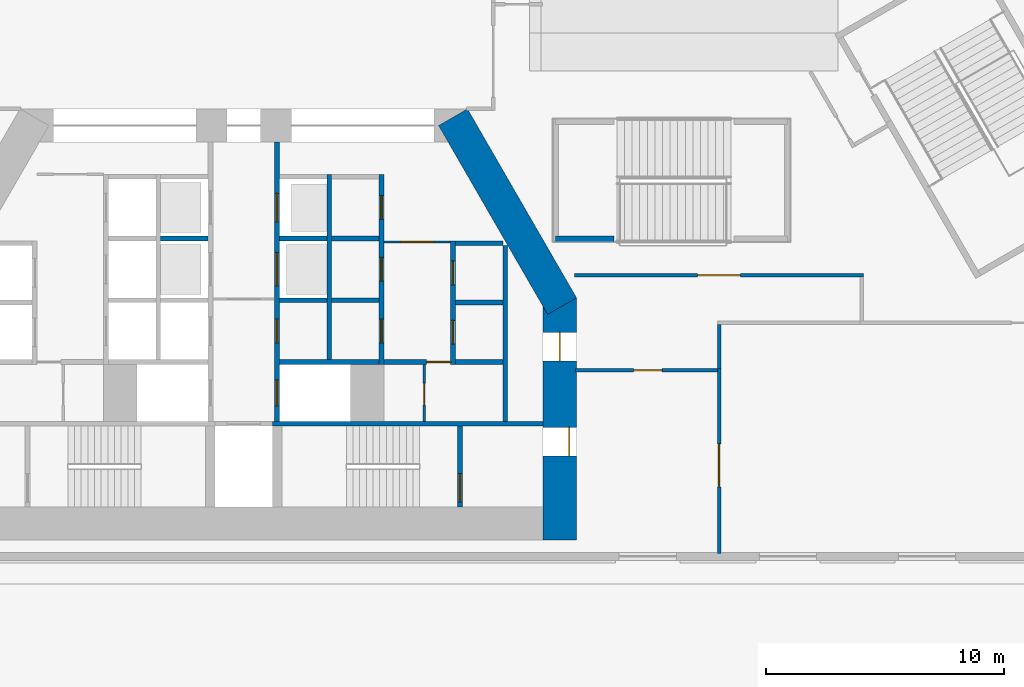
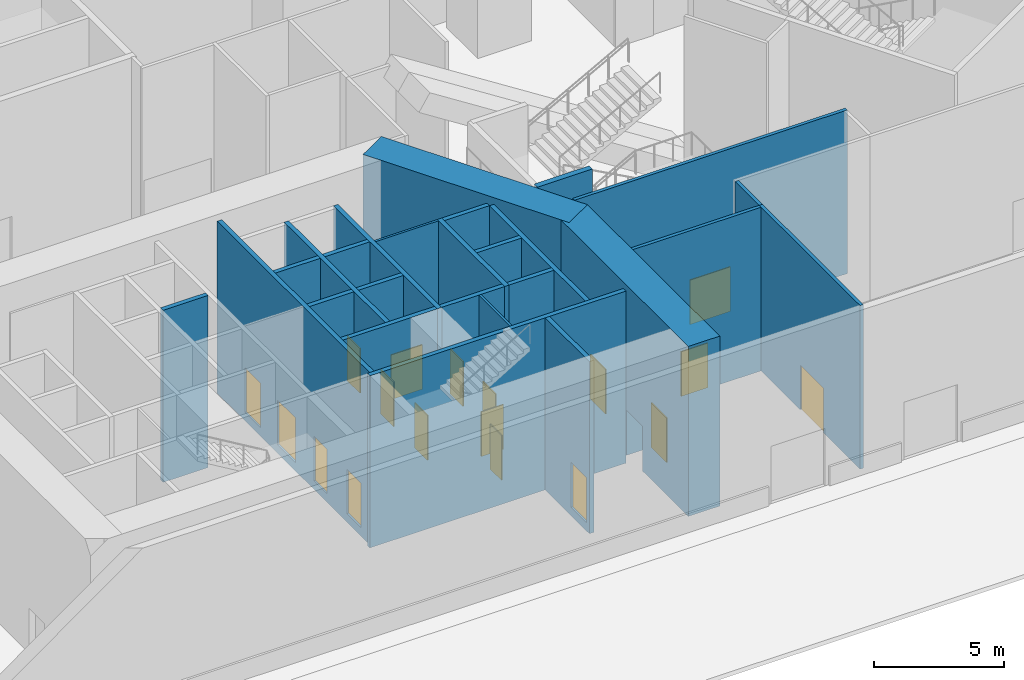
# One storey, part 14 of 24: 26 walls, 18 doors, 18 openings.
"""IFC4 building model written with IfcOpenShell, lengths in metres."""

from ifc_helpers import new_model, si_unit, direction, frame, frame_2d, origin, place, context, subcontext, project, spatial, rectangle, extrude, material, layer, layer_set, type_object, element, fill, save


model = new_model("IFC4")

# Units and contexts
model_context = context("Model", 3, precision=1e-05, world=origin(), true_north=direction((0.0, 1.0)))
body_context = subcontext(model_context, "Body", "Model", "MODEL_VIEW")
ifc_project = project(units=[si_unit("LENGTHUNIT", "METRE"), si_unit("AREAUNIT", "SQUARE_METRE"), si_unit("VOLUMEUNIT", "CUBIC_METRE"), si_unit("PLANEANGLEUNIT", "RADIAN"), si_unit("MASSUNIT", "GRAM", prefix="KILO")], contexts=[model_context])

# Site, building, storey
site_placement = place(None, origin())
site = spatial("IfcSite", under=ifc_project, at=site_placement, CompositionType="ELEMENT")
building_placement = place(site_placement, origin())
building = spatial("IfcBuilding", under=site, at=building_placement, Name="Fogline Exchange Tower", CompositionType="ELEMENT")
storey_placement = place(building_placement, origin())
storey = spatial("IfcBuildingStorey", under=building, at=storey_placement, Name="L00", CompositionType="ELEMENT", Elevation=0.0)

# Wall, opening, door
ifc_material_1 = material(Name="Blockwork partition", Category="masonry")
ifc_layer_1 = layer(ifc_material_1, 0.10009765625)
ifc_layer_set_1 = layer_set([ifc_layer_1], Name="CW10")
wall_type_1 = type_object("IfcWallType", Name="CW10", PredefinedType="PARTITIONING", material=ifc_layer_set_1)
wall_1_placement = place(storey_placement, frame((5.89990234375, 13.39990234375, 0.0), z_axis=(0.0, 0.0, 1.0), x_axis=(1.0, 0.0, 0.0)))
wall_1 = element("IfcWall", 1, at=wall_1_placement, inside=storey, type_object=wall_type_1, Name="Lift lobby partition", PredefinedType="PARTITIONING", context=body_context, shape_type="SweptSolid", body=[
    extrude(rectangle(XDim=2.800048828125, YDim=0.10009765625, at=frame_2d((1.39990234375, 0.0))), origin(), (0.0, 0.0, 1.0), 7.699951171875),
])
opening_1_placement = place(wall_1_placement, frame((0.699951171875, 0.0, 0.0)))
opening_1 = element("IfcOpeningElement", 2, at=opening_1_placement, cuts=wall_1, Name="Opening P00-C013", PredefinedType="OPENING", context=body_context, shape_type="SweptSolid", body=[
    extrude(rectangle(XDim=1.39990234375, YDim=2.10009765625, at=frame_2d((0.699951171875, 1.050048828125))), frame((0.0, 0.06005859375, 0.0), z_axis=(0.0, -1.0, 0.0), x_axis=(1.0, 0.0, 0.0)), (0.0, 0.0, 1.0), 0.1201171875),
])
ifc_material_2 = material(Name="Steel and timber fire door", Category="steel")
door_type_1 = type_object("IfcDoorType", Name="D-LB1", OperationType="DOUBLE_DOOR_SINGLE_SWING", PredefinedType="DOOR", material=ifc_material_2)
door_1_placement = place(opening_1_placement, frame((1.39990234375, 0.0, 0.0), z_axis=(0.0, 0.0, 1.0), x_axis=(-1.0, 0.0, 0.0)))
door_1 = element("IfcDoor", 3, at=door_1_placement, inside=storey, type_object=door_type_1, Name="Door to lift lobby", OperationType="DOUBLE_DOOR_SINGLE_SWING", OverallHeight=2.10009765625, OverallWidth=1.39990234375, PredefinedType="DOOR", context=body_context, shape_type="SweptSolid", body=[
    extrude(rectangle(XDim=1.39990234375, YDim=2.10009765625, at=frame_2d((0.699951171875, 1.050048828125))), frame((0.0, 0.02490234375, 0.0), z_axis=(0.0, -1.0, 0.0), x_axis=(1.0, 0.0, 0.0)), (0.0, 0.0, 1.0), 0.050048828125),
])
fill(opening_1, door_1)

wall_2_placement = place(storey_placement, frame((7.60009765625, 5.85009765625, 0.0), z_axis=(0.0, 0.0, 1.0), x_axis=(0.0, 1.0, 0.0)))
wall_2 = element("IfcWall", 4, at=wall_2_placement, inside=storey, type_object=wall_type_1, Name="WC partition", PredefinedType="PARTITIONING", context=body_context, shape_type="SweptSolid", body=[
    extrude(rectangle(XDim=2.39990234375, YDim=0.10009765625, at=frame_2d((1.199951171875, 0.0))), origin(), (0.0, 0.0, 1.0), 7.699951171875),
])
opening_2_placement = place(wall_2_placement, frame((0.699951171875, 0.0, 0.0)))
opening_2 = element("IfcOpeningElement", 5, at=opening_2_placement, cuts=wall_2, Name="Opening P00-C015", PredefinedType="OPENING", context=body_context, shape_type="SweptSolid", body=[
    extrude(rectangle(XDim=0.89990234375, YDim=2.10009765625, at=frame_2d((0.449951171875, 1.050048828125))), frame((0.0, 0.06005859375, 0.0), z_axis=(0.0, -1.0, 0.0), x_axis=(1.0, 0.0, 0.0)), (0.0, 0.0, 1.0), 0.1201171875),
])
door_type_2 = type_object("IfcDoorType", Name="D-CS1", OperationType="SINGLE_SWING_RIGHT", PredefinedType="DOOR", material=ifc_material_2)
door_2_placement = place(opening_2_placement, origin())
door_2 = element("IfcDoor", 6, at=door_2_placement, inside=storey, type_object=door_type_2, Name="Door to Cleaner's Store", OperationType="SINGLE_SWING_LEFT", OverallHeight=2.10009765625, OverallWidth=0.89990234375, PredefinedType="DOOR", context=body_context, shape_type="SweptSolid", body=[
    extrude(rectangle(XDim=0.89990234375, YDim=2.10009765625, at=frame_2d((0.449951171875, 1.050048828125))), frame((0.0, 0.02490234375, 0.0), z_axis=(0.0, -1.0, 0.0), x_axis=(1.0, 0.0, 0.0)), (0.0, 0.0, 1.0), 0.050048828125),
])
fill(opening_2, door_2)

# Wall
ifc_material_3 = material(Name="Concrete C40", Category="concrete")
ifc_layer_2 = layer(ifc_material_3, 0.199951171875)
ifc_layer_set_2 = layer_set([ifc_layer_2], Name="CW20")
wall_type_2 = type_object("IfcWallType", Name="CW20", PredefinedType="SOLIDWALL", material=ifc_layer_set_2)
wall_3_placement = place(storey_placement, frame((11.0, 5.85009765625, 0.0), z_axis=(0.0, 0.0, 1.0), x_axis=(0.0, 1.0, 0.0)))
element("IfcWall", 7, at=wall_3_placement, inside=storey, type_object=wall_type_2, Name="Service room wall", PredefinedType="SOLIDWALL", context=body_context, shape_type="SweptSolid", body=[
    extrude(rectangle(XDim=7.39990234375, YDim=0.199951171875, at=frame_2d((3.699951171875, 0.0))), origin(), (0.0, 0.0, 1.0), 7.699951171875),
])

# Wall, opening, door
wall_4_placement = place(storey_placement, frame((5.89990234375, 8.35009765625, 0.0), z_axis=(0.0, 0.0, 1.0), x_axis=(1.0, 0.0, 0.0)))
wall_4 = element("IfcWall", 8, at=wall_4_placement, inside=storey, type_object=wall_type_2, Name="WC wall", PredefinedType="SOLIDWALL", context=body_context, shape_type="SweptSolid", body=[
    extrude(rectangle(XDim=2.800048828125, YDim=0.199951171875, at=frame_2d((1.39990234375, 0.0))), origin(), (0.0, 0.0, 1.0), 7.699951171875),
])
opening_3_placement = place(wall_4_placement, frame((1.800048828125, 0.0, 0.0)))
opening_3 = element("IfcOpeningElement", 9, at=opening_3_placement, cuts=wall_4, Name="Opening P00-C014", PredefinedType="OPENING", context=body_context, shape_type="SweptSolid", body=[
    extrude(rectangle(XDim=1.0, YDim=2.10009765625, at=frame_2d((0.5, 1.050048828125))), frame((0.0, 0.10986328125, 0.0), z_axis=(0.0, -1.0, 0.0), x_axis=(1.0, 0.0, 0.0)), (0.0, 0.0, 1.0), 0.219970703125),
])
door_type_3 = type_object("IfcDoorType", Name="D-WC1", OperationType="SINGLE_SWING_LEFT", PredefinedType="DOOR", material=ifc_material_2)
door_3_placement = place(opening_3_placement, frame((1.0, 0.0, 0.0), z_axis=(0.0, 0.0, 1.0), x_axis=(-1.0, 0.0, 0.0)))
door_3 = element("IfcDoor", 10, at=door_3_placement, inside=storey, type_object=door_type_3, Name="Door to Women's WC", OperationType="SINGLE_SWING_LEFT", OverallHeight=2.10009765625, OverallWidth=1.0, PredefinedType="DOOR", context=body_context, shape_type="SweptSolid", body=[
    extrude(rectangle(XDim=1.0, YDim=2.10009765625, at=frame_2d((0.5, 1.050048828125))), frame((0.0, 0.02490234375, 0.0), z_axis=(0.0, -1.0, 0.0), x_axis=(1.0, 0.0, 0.0)), (0.0, 0.0, 1.0), 0.050048828125),
])
fill(opening_3, door_3)

# Wall
ifc_layer_3 = layer(ifc_material_3, 0.199951171875)
ifc_layer_set_3 = layer_set([ifc_layer_3], Name="CW20R")
wall_type_3 = type_object("IfcWallType", Name="CW20R", PredefinedType="SOLIDWALL", material=ifc_layer_set_3)
wall_5_placement = place(storey_placement, frame((1.199951171875, 5.75, -0.39990234375), z_axis=(0.0, 0.0, 1.0), x_axis=(1.0, 0.0, 0.0)))
element("IfcWall", 11, at=wall_5_placement, inside=storey, type_object=wall_type_3, Name="Stair enclosure wall", PredefinedType="SOLIDWALL", context=body_context, shape_type="SweptSolid", body=[
    extrude(rectangle(XDim=11.400146484375, YDim=0.199951171875, at=frame_2d((5.7001953125, 0.0))), origin(), (0.0, 0.0, 1.0), 8.099853515625),
])

# Wall, opening, door
wall_6_placement = place(storey_placement, frame((9.10009765625, 2.25, -0.39990234375), z_axis=(0.0, 0.0, 1.0), x_axis=(0.0, 1.0, 0.0)))
wall_6 = element("IfcWall", 12, at=wall_6_placement, inside=storey, type_object=wall_type_3, Name="Stair enclosure wall", PredefinedType="SOLIDWALL", context=body_context, shape_type="SweptSolid", body=[
    extrude(rectangle(XDim=3.39990234375, YDim=0.199951171875, at=frame_2d((1.699951171875, 0.0))), origin(), (0.0, 0.0, 1.0), 8.099853515625),
])
opening_4_placement = place(wall_6_placement, frame((0.199951171875, 0.0, 0.39990234375)))
opening_4 = element("IfcOpeningElement", 13, at=opening_4_placement, cuts=wall_6, Name="Opening P00-C017", PredefinedType="OPENING", context=body_context, shape_type="SweptSolid", body=[
    extrude(rectangle(XDim=1.199951171875, YDim=2.10009765625, at=frame_2d((0.60009765625, 1.050048828125))), frame((0.0, 0.10986328125, 0.0), z_axis=(0.0, -1.0, 0.0), x_axis=(1.0, 0.0, 0.0)), (0.0, 0.0, 1.0), 0.219970703125),
])
door_type_4 = type_object("IfcDoorType", Name="D-ST1", OperationType="SINGLE_SWING_LEFT", PredefinedType="DOOR", material=ifc_material_2)
door_4_placement = place(opening_4_placement, origin())
door_4 = element("IfcDoor", 14, at=door_4_placement, inside=storey, type_object=door_type_4, Name="Stair door ST2", OperationType="SINGLE_SWING_LEFT", OverallHeight=2.10009765625, OverallWidth=1.199951171875, PredefinedType="DOOR", context=body_context, shape_type="SweptSolid", body=[
    extrude(rectangle(XDim=1.199951171875, YDim=2.10009765625, at=frame_2d((0.60009765625, 1.050048828125))), frame((0.0, 0.02490234375, 0.0), z_axis=(0.0, -1.0, 0.0), x_axis=(1.0, 0.0, 0.0)), (0.0, 0.0, 1.0), 0.050048828125),
])
fill(opening_4, door_4)

# Wall, openings, doors
ifc_layer_4 = layer(ifc_material_3, 0.199951171875)
ifc_layer_set_4 = layer_set([ifc_layer_4], Name="CW20S")
wall_type_4 = type_object("IfcWallType", Name="CW20S", PredefinedType="SOLIDWALL", material=ifc_layer_set_4)
wall_7_placement = place(storey_placement, frame((8.800048828125, 8.25, -0.39990234375), z_axis=(0.0, 0.0, 1.0), x_axis=(0.0, 1.0, 0.0)))
wall_7 = element("IfcWall", 15, at=wall_7_placement, inside=storey, type_object=wall_type_4, Name="Lift shaft wall", PredefinedType="SOLIDWALL", context=body_context, shape_type="SweptSolid", body=[
    extrude(rectangle(XDim=5.199951171875, YDim=0.199951171875, at=frame_2d((2.60009765625, 0.0))), origin(), (0.0, 0.0, 1.0), 8.099853515625),
])
opening_5_placement = place(wall_7_placement, frame((0.85009765625, 0.0, 0.39990234375)))
opening_5 = element("IfcOpeningElement", 16, at=opening_5_placement, cuts=wall_7, Name="Opening P00-C001", PredefinedType="OPENING", context=body_context, shape_type="SweptSolid", body=[
    extrude(rectangle(XDim=1.0, YDim=2.10009765625, at=frame_2d((0.5, 1.050048828125))), frame((0.0, 0.10986328125, 0.0), z_axis=(0.0, -1.0, 0.0), x_axis=(1.0, 0.0, 0.0)), (0.0, 0.0, 1.0), 0.219970703125),
])
opening_6_placement = place(wall_7_placement, frame((3.35009765625, 0.0, 0.39990234375)))
opening_6 = element("IfcOpeningElement", 17, at=opening_6_placement, cuts=wall_7, Name="Opening P00-C002", PredefinedType="OPENING", context=body_context, shape_type="SweptSolid", body=[
    extrude(rectangle(XDim=1.0, YDim=2.10009765625, at=frame_2d((0.5, 1.050048828125))), frame((0.0, 0.10986328125, 0.0), z_axis=(0.0, -1.0, 0.0), x_axis=(1.0, 0.0, 0.0)), (0.0, 0.0, 1.0), 0.219970703125),
])
door_type_5 = type_object("IfcDoorType", Name="D-RM1", OperationType="SINGLE_SWING_LEFT", PredefinedType="DOOR", material=ifc_material_2)
door_5_placement = place(opening_5_placement, frame((1.0, 0.0, 0.0), z_axis=(0.0, 0.0, 1.0), x_axis=(-1.0, 0.0, 0.0)))
door_5 = element("IfcDoor", 18, at=door_5_placement, inside=storey, type_object=door_type_5, Name="Door to Library Store", OperationType="SINGLE_SWING_LEFT", OverallHeight=2.10009765625, OverallWidth=1.0, PredefinedType="DOOR", context=body_context, shape_type="SweptSolid", body=[
    extrude(rectangle(XDim=1.0, YDim=2.10009765625, at=frame_2d((0.5, 1.050048828125))), frame((0.0, 0.02490234375, 0.0), z_axis=(0.0, -1.0, 0.0), x_axis=(1.0, 0.0, 0.0)), (0.0, 0.0, 1.0), 0.050048828125),
])
fill(opening_5, door_5)
door_6_placement = place(opening_6_placement, frame((1.0, 0.0, 0.0), z_axis=(0.0, 0.0, 1.0), x_axis=(-1.0, 0.0, 0.0)))
door_6 = element("IfcDoor", 19, at=door_6_placement, inside=storey, type_object=door_type_5, Name="Door to Stationery Store", OperationType="SINGLE_SWING_LEFT", OverallHeight=2.10009765625, OverallWidth=1.0, PredefinedType="DOOR", context=body_context, shape_type="SweptSolid", body=[
    extrude(rectangle(XDim=1.0, YDim=2.10009765625, at=frame_2d((0.5, 1.050048828125))), frame((0.0, 0.02490234375, 0.0), z_axis=(0.0, -1.0, 0.0), x_axis=(1.0, 0.0, 0.0)), (0.0, 0.0, 1.0), 0.050048828125),
])
fill(opening_6, door_6)

wall_8_placement = place(storey_placement, frame((5.800048828125, 8.25, -0.39990234375), z_axis=(0.0, 0.0, 1.0), x_axis=(0.0, 1.0, 0.0)))
wall_8 = element("IfcWall", 20, at=wall_8_placement, inside=storey, type_object=wall_type_4, Name="Lift shaft wall", PredefinedType="SOLIDWALL", context=body_context, shape_type="SweptSolid", body=[
    extrude(rectangle(XDim=8.0, YDim=0.199951171875, at=frame_2d((4.0, 0.0))), origin(), (0.0, 0.0, 1.0), 8.099853515625),
])
opening_7_placement = place(wall_8_placement, frame((0.89990234375, 0.0, 0.39990234375)))
opening_7 = element("IfcOpeningElement", 21, at=opening_7_placement, cuts=wall_8, Name="Opening P00-C003", PredefinedType="OPENING", context=body_context, shape_type="SweptSolid", body=[
    extrude(rectangle(XDim=1.0, YDim=2.10009765625, at=frame_2d((0.5, 1.050048828125))), frame((0.0, 0.10986328125, 0.0), z_axis=(0.0, -1.0, 0.0), x_axis=(1.0, 0.0, 0.0)), (0.0, 0.0, 1.0), 0.219970703125),
])
opening_8_placement = place(wall_8_placement, frame((3.5, 0.0, 0.39990234375)))
opening_8 = element("IfcOpeningElement", 22, at=opening_8_placement, cuts=wall_8, Name="Opening P00-C004", PredefinedType="OPENING", context=body_context, shape_type="SweptSolid", body=[
    extrude(rectangle(XDim=1.0, YDim=2.10009765625, at=frame_2d((0.5, 1.050048828125))), frame((0.0, 0.10986328125, 0.0), z_axis=(0.0, -1.0, 0.0), x_axis=(1.0, 0.0, 0.0)), (0.0, 0.0, 1.0), 0.219970703125),
])
opening_9_placement = place(wall_8_placement, frame((6.10009765625, 0.0, 0.39990234375)))
opening_9 = element("IfcOpeningElement", 23, at=opening_9_placement, cuts=wall_8, Name="Opening P00-C005", PredefinedType="OPENING", context=body_context, shape_type="SweptSolid", body=[
    extrude(rectangle(XDim=1.0, YDim=2.10009765625, at=frame_2d((0.5, 1.050048828125))), frame((0.0, 0.10986328125, 0.0), z_axis=(0.0, -1.0, 0.0), x_axis=(1.0, 0.0, 0.0)), (0.0, 0.0, 1.0), 0.219970703125),
])
door_7_placement = place(opening_7_placement, origin())
door_7 = element("IfcDoor", 24, at=door_7_placement, inside=storey, type_object=door_type_5, Name="Door to Records Store", OperationType="SINGLE_SWING_RIGHT", OverallHeight=2.10009765625, OverallWidth=1.0, PredefinedType="DOOR", context=body_context, shape_type="SweptSolid", body=[
    extrude(rectangle(XDim=1.0, YDim=2.10009765625, at=frame_2d((0.5, 1.050048828125))), frame((0.0, 0.02490234375, 0.0), z_axis=(0.0, -1.0, 0.0), x_axis=(1.0, 0.0, 0.0)), (0.0, 0.0, 1.0), 0.050048828125),
])
fill(opening_7, door_7)
door_8_placement = place(opening_8_placement, origin())
door_8 = element("IfcDoor", 25, at=door_8_placement, inside=storey, type_object=door_type_5, Name="Door to Riser Room", OperationType="SINGLE_SWING_LEFT", OverallHeight=2.10009765625, OverallWidth=1.0, PredefinedType="DOOR", context=body_context, shape_type="SweptSolid", body=[
    extrude(rectangle(XDim=1.0, YDim=2.10009765625, at=frame_2d((0.5, 1.050048828125))), frame((0.0, 0.02490234375, 0.0), z_axis=(0.0, -1.0, 0.0), x_axis=(1.0, 0.0, 0.0)), (0.0, 0.0, 1.0), 0.050048828125),
])
fill(opening_8, door_8)
door_9_placement = place(opening_9_placement, origin())
door_9 = element("IfcDoor", 26, at=door_9_placement, inside=storey, type_object=door_type_5, Name="Door to Plant Room", OperationType="SINGLE_SWING_LEFT", OverallHeight=2.10009765625, OverallWidth=1.0, PredefinedType="DOOR", context=body_context, shape_type="SweptSolid", body=[
    extrude(rectangle(XDim=1.0, YDim=2.10009765625, at=frame_2d((0.5, 1.050048828125))), frame((0.0, 0.02490234375, 0.0), z_axis=(0.0, -1.0, 0.0), x_axis=(1.0, 0.0, 0.0)), (0.0, 0.0, 1.0), 0.050048828125),
])
fill(opening_9, door_9)

# Wall
wall_9_placement = place(storey_placement, frame((3.60009765625, 8.449951171875, -0.39990234375), z_axis=(0.0, 0.0, 1.0), x_axis=(0.0, 1.0, 0.0)))
element("IfcWall", 27, at=wall_9_placement, inside=storey, type_object=wall_type_4, Name="Lift shaft wall", PredefinedType="SOLIDWALL", context=body_context, shape_type="SweptSolid", body=[
    extrude(rectangle(XDim=7.800048828125, YDim=0.199951171875, at=frame_2d((3.89990234375, 0.0))), origin(), (0.0, 0.0, 1.0), 8.099853515625),
])

# Wall, openings, doors
wall_10_placement = place(storey_placement, frame((1.39990234375, 5.85009765625, -0.39990234375), z_axis=(0.0, 0.0, 1.0), x_axis=(0.0, 1.0, 0.0)))
wall_10 = element("IfcWall", 28, at=wall_10_placement, inside=storey, type_object=wall_type_4, Name="Lift lobby wall", PredefinedType="SOLIDWALL", context=body_context, shape_type="SweptSolid", body=[
    extrude(rectangle(XDim=11.75, YDim=0.199951171875, at=frame_2d((5.875, 0.0))), origin(), (0.0, 0.0, 1.0), 8.099853515625),
])
opening_10_placement = place(wall_10_placement, frame((5.699951171875, 0.0, 0.39990234375)))
opening_10 = element("IfcOpeningElement", 29, at=opening_10_placement, cuts=wall_10, Name="Opening P00-LD10", PredefinedType="OPENING", context=body_context, shape_type="SweptSolid", body=[
    extrude(rectangle(XDim=1.39990234375, YDim=2.10009765625, at=frame_2d((0.699951171875, 1.050048828125))), frame((0.0, 0.10986328125, 0.0), z_axis=(0.0, -1.0, 0.0), x_axis=(1.0, 0.0, 0.0)), (0.0, 0.0, 1.0), 0.219970703125),
])
opening_11_placement = place(wall_10_placement, frame((8.39990234375, 0.0, 0.39990234375)))
opening_11 = element("IfcOpeningElement", 30, at=opening_11_placement, cuts=wall_10, Name="Opening P00-LD11", PredefinedType="OPENING", context=body_context, shape_type="SweptSolid", body=[
    extrude(rectangle(XDim=1.199951171875, YDim=2.10009765625, at=frame_2d((0.60009765625, 1.050048828125))), frame((0.0, 0.10986328125, 0.0), z_axis=(0.0, -1.0, 0.0), x_axis=(1.0, 0.0, 0.0)), (0.0, 0.0, 1.0), 0.219970703125),
])
opening_12_placement = place(wall_10_placement, frame((0.64990234375, 0.0, 0.39990234375)))
opening_12 = element("IfcOpeningElement", 31, at=opening_12_placement, cuts=wall_10, Name="Opening P00-LD12", PredefinedType="OPENING", context=body_context, shape_type="SweptSolid", body=[
    extrude(rectangle(XDim=1.10009765625, YDim=2.10009765625, at=frame_2d((0.550048828125, 1.050048828125))), frame((0.0, 0.10986328125, 0.0), z_axis=(0.0, -1.0, 0.0), x_axis=(1.0, 0.0, 0.0)), (0.0, 0.0, 1.0), 0.219970703125),
])
opening_13_placement = place(wall_10_placement, frame((3.300048828125, 0.0, 0.39990234375)))
opening_13 = element("IfcOpeningElement", 32, at=opening_13_placement, cuts=wall_10, Name="Opening P00-C006", PredefinedType="OPENING", context=body_context, shape_type="SweptSolid", body=[
    extrude(rectangle(XDim=1.0, YDim=2.10009765625, at=frame_2d((0.5, 1.050048828125))), frame((0.0, 0.10986328125, 0.0), z_axis=(0.0, -1.0, 0.0), x_axis=(1.0, 0.0, 0.0)), (0.0, 0.0, 1.0), 0.219970703125),
])
door_10_placement = place(opening_13_placement, frame((1.0, 0.0, 0.0), z_axis=(0.0, 0.0, 1.0), x_axis=(-1.0, 0.0, 0.0)))
door_10 = element("IfcDoor", 33, at=door_10_placement, inside=storey, type_object=door_type_5, Name="Door to Cable Store", OperationType="SINGLE_SWING_RIGHT", OverallHeight=2.10009765625, OverallWidth=1.0, PredefinedType="DOOR", context=body_context, shape_type="SweptSolid", body=[
    extrude(rectangle(XDim=1.0, YDim=2.10009765625, at=frame_2d((0.5, 1.050048828125))), frame((0.0, 0.02490234375, 0.0), z_axis=(0.0, -1.0, 0.0), x_axis=(1.0, 0.0, 0.0)), (0.0, 0.0, 1.0), 0.050048828125),
])
fill(opening_13, door_10)
door_type_6 = type_object("IfcDoorType", Name="LD1", OperationType="SLIDING_TO_LEFT", PredefinedType="DOOR", material=ifc_material_2)
door_11_placement = place(opening_11_placement, origin())
door_11 = element("IfcDoor", 34, at=door_11_placement, inside=storey, type_object=door_type_6, Name="Landing door OB1", OperationType="SLIDING_TO_LEFT", OverallHeight=2.10009765625, OverallWidth=1.199951171875, PredefinedType="DOOR", context=body_context, shape_type="SweptSolid", body=[
    extrude(rectangle(XDim=1.199951171875, YDim=2.10009765625, at=frame_2d((0.60009765625, 1.050048828125))), frame((0.0, 0.02490234375, 0.0), z_axis=(0.0, -1.0, 0.0), x_axis=(1.0, 0.0, 0.0)), (0.0, 0.0, 1.0), 0.050048828125),
])
fill(opening_11, door_11)
door_type_7 = type_object("IfcDoorType", Name="LD2", OperationType="SLIDING_TO_RIGHT", PredefinedType="DOOR", material=ifc_material_2)
door_12_placement = place(opening_12_placement, origin())
door_12 = element("IfcDoor", 35, at=door_12_placement, inside=storey, type_object=door_type_7, Name="Landing door FF2", OperationType="SLIDING_TO_RIGHT", OverallHeight=2.10009765625, OverallWidth=1.10009765625, PredefinedType="DOOR", context=body_context, shape_type="SweptSolid", body=[
    extrude(rectangle(XDim=1.10009765625, YDim=2.10009765625, at=frame_2d((0.550048828125, 1.050048828125))), frame((0.0, 0.02490234375, 0.0), z_axis=(0.0, -1.0, 0.0), x_axis=(1.0, 0.0, 0.0)), (0.0, 0.0, 1.0), 0.050048828125),
])
fill(opening_12, door_12)
door_type_8 = type_object("IfcDoorType", Name="LD3", OperationType="SLIDING_TO_LEFT", PredefinedType="DOOR", material=ifc_material_2)
door_13_placement = place(opening_10_placement, origin())
door_13 = element("IfcDoor", 36, at=door_13_placement, inside=storey, type_object=door_type_8, Name="Landing door SH3", OperationType="SLIDING_TO_LEFT", OverallHeight=2.10009765625, OverallWidth=1.39990234375, PredefinedType="DOOR", context=body_context, shape_type="SweptSolid", body=[
    extrude(rectangle(XDim=1.39990234375, YDim=2.10009765625, at=frame_2d((0.699951171875, 1.050048828125))), frame((0.0, 0.02490234375, 0.0), z_axis=(0.0, -1.0, 0.0), x_axis=(1.0, 0.0, 0.0)), (0.0, 0.0, 1.0), 0.050048828125),
])
fill(opening_10, door_13)

# Walls
wall_11_placement = place(storey_placement, frame((8.89990234375, 8.35009765625, -0.39990234375), z_axis=(0.0, 0.0, 1.0), x_axis=(1.0, 0.0, 0.0)))
element("IfcWall", 37, at=wall_11_placement, inside=storey, type_object=wall_type_4, Name="Lift shaft wall", PredefinedType="SOLIDWALL", context=body_context, shape_type="SweptSolid", body=[
    extrude(rectangle(XDim=2.0, YDim=0.199951171875, at=frame_2d((1.0, 0.0))), origin(), (0.0, 0.0, 1.0), 8.099853515625),
])
wall_12_placement = place(storey_placement, frame((1.5, 8.35009765625, -0.39990234375), z_axis=(0.0, 0.0, 1.0), x_axis=(1.0, 0.0, 0.0)))
element("IfcWall", 38, at=wall_12_placement, inside=storey, type_object=wall_type_4, Name="Lift shaft wall", PredefinedType="SOLIDWALL", context=body_context, shape_type="SweptSolid", body=[
    extrude(rectangle(XDim=4.199951171875, YDim=0.199951171875, at=frame_2d((2.10009765625, 0.0))), origin(), (0.0, 0.0, 1.0), 8.099853515625),
])
for number, where, z_axis, x_axis, name in (
    (39, (-3.5, 13.550048828125, -0.39990234375), (0.0, 0.0, 1.0), (1.0, 0.0, 0.0), "Lift shaft wall"),
    (40, (8.89990234375, 10.85009765625, -0.39990234375), (0.0, 0.0, 1.0), (1.0, 0.0, 0.0), "Lift shaft wall"),
    (41, (8.89990234375, 13.35009765625, -0.39990234375), (0.0, 0.0, 1.0), (1.0, 0.0, 0.0), "Lift shaft wall"),
    (42, (3.699951171875, 10.949951171875, -0.39990234375), (0.0, 0.0, 1.0), (1.0, 0.0, 0.0), "Lift shaft wall"),
    (43, (3.699951171875, 13.550048828125, -0.39990234375), (0.0, 0.0, 1.0), (1.0, 0.0, 0.0), "Lift shaft wall"),
    (44, (1.5, 10.949951171875, -0.39990234375), (0.0, 0.0, 1.0), (1.0, 0.0, 0.0), "Lift shaft wall"),
    (45, (1.5, 13.550048828125, -0.39990234375), (0.0, 0.0, 1.0), (1.0, 0.0, 0.0), "Lift shaft wall"),
):
    element("IfcWall", number, at=place(storey_placement, frame(where, z_axis=z_axis, x_axis=x_axis)), inside=storey, type_object=wall_type_4, Name=name, PredefinedType="SOLIDWALL", context=body_context, shape_type="SweptSolid", body=[
        extrude(rectangle(XDim=2.0, YDim=0.199951171875, at=frame_2d((1.0, 0.0))), origin(), (0.0, 0.0, 1.0), 8.099853515625),
    ])

# Wall, opening, door
ifc_material_4 = material(Name="Plasterboard on steel stud", Category="steel")
ifc_layer_5 = layer(ifc_material_4, 0.14990234375)
ifc_layer_set_5 = layer_set([ifc_layer_5], Name="PP1")
wall_type_5 = type_object("IfcWallType", Name="PP1", PredefinedType="PARTITIONING", material=ifc_layer_set_5)
wall_13_placement = place(storey_placement, frame((20.0, 0.294921875, 0.0), z_axis=(0.0, 0.0, 1.0), x_axis=(0.0, 1.0, 0.0)))
wall_13 = element("IfcWall", 46, at=wall_13_placement, inside=storey, type_object=wall_type_5, Name="PP1 partition", PredefinedType="PARTITIONING", context=body_context, shape_type="SweptSolid", body=[
    extrude(rectangle(XDim=7.780029296875, YDim=0.14990234375, at=frame_2d((3.89013671875, 0.0))), origin(), (0.0, 0.0, 1.0), 7.699951171875),
])
opening_14_placement = place(wall_13_placement, frame((2.804931640625, 0.0, 0.0)))
opening_14 = element("IfcOpeningElement", 47, at=opening_14_placement, cuts=wall_13, Name="Opening P00-D011", PredefinedType="OPENING", context=body_context, shape_type="SweptSolid", body=[
    extrude(rectangle(XDim=1.800048828125, YDim=2.10009765625, at=frame_2d((0.89990234375, 1.050048828125))), frame((0.0, 0.0849609375, 0.0), z_axis=(0.0, -1.0, 0.0), x_axis=(1.0, 0.0, 0.0)), (0.0, 0.0, 1.0), 0.169921875),
])
ifc_material_5 = material(Name="Timber", Category="wood")
door_type_9 = type_object("IfcDoorType", Name="PD3", OperationType="DOUBLE_DOOR_SINGLE_SWING", PredefinedType="DOOR", material=ifc_material_5)
door_14_placement = place(opening_14_placement, origin())
door_14 = element("IfcDoor", 48, at=door_14_placement, inside=storey, type_object=door_type_9, Name="P00-D011", OperationType="DOUBLE_DOOR_SINGLE_SWING", OverallHeight=2.10009765625, OverallWidth=1.800048828125, PredefinedType="DOOR", context=body_context, shape_type="SweptSolid", body=[
    extrude(rectangle(XDim=1.800048828125, YDim=2.10009765625, at=frame_2d((0.89990234375, 1.050048828125))), frame((0.0, 0.02490234375, 0.0), z_axis=(0.0, -1.0, 0.0), x_axis=(1.0, 0.0, 0.0)), (0.0, 0.0, 1.0), 0.050048828125),
])
fill(opening_14, door_14)

wall_14_placement = place(storey_placement, frame((13.955078125, 8.0, 0.0), z_axis=(0.0, 0.0, 1.0), x_axis=(1.0, 0.0, 0.0)))
wall_14 = element("IfcWall", 49, at=wall_14_placement, inside=storey, type_object=wall_type_5, Name="PP1 partition", PredefinedType="PARTITIONING", context=body_context, shape_type="SweptSolid", body=[
    extrude(rectangle(XDim=5.969970703125, YDim=0.14990234375, at=frame_2d((2.98486328125, 0.0))), origin(), (0.0, 0.0, 1.0), 7.699951171875),
])
opening_15_placement = place(wall_14_placement, frame((2.445068359375, 0.0, 0.0)))
opening_15 = element("IfcOpeningElement", 50, at=opening_15_placement, cuts=wall_14, Name="Opening P00-D013", PredefinedType="OPENING", context=body_context, shape_type="SweptSolid", body=[
    extrude(rectangle(XDim=1.199951171875, YDim=2.10009765625, at=frame_2d((0.60009765625, 1.050048828125))), frame((0.0, 0.0849609375, 0.0), z_axis=(0.0, -1.0, 0.0), x_axis=(1.0, 0.0, 0.0)), (0.0, 0.0, 1.0), 0.169921875),
])
ifc_material_6 = material(Name="Steel Q235B", Category="steel")
door_type_10 = type_object("IfcDoorType", Name="PD7", OperationType="SINGLE_SWING_LEFT", PredefinedType="DOOR", material=ifc_material_6)
door_15_placement = place(opening_15_placement, origin())
door_15 = element("IfcDoor", 51, at=door_15_placement, inside=storey, type_object=door_type_10, Name="P00-D013", OperationType="SINGLE_SWING_RIGHT", OverallHeight=2.10009765625, OverallWidth=1.199951171875, PredefinedType="DOOR", context=body_context, shape_type="SweptSolid", body=[
    extrude(rectangle(XDim=1.199951171875, YDim=2.10009765625, at=frame_2d((0.60009765625, 1.050048828125))), frame((0.0, 0.02490234375, 0.0), z_axis=(0.0, -1.0, 0.0), x_axis=(1.0, 0.0, 0.0)), (0.0, 0.0, 1.0), 0.050048828125),
])
fill(opening_15, door_15)

# Wall
wall_15_placement = place(storey_placement, frame((20.0, 8.074951171875, 0.0), z_axis=(0.0, 0.0, 1.0), x_axis=(0.0, 1.0, 0.0)))
element("IfcWall", 52, at=wall_15_placement, inside=storey, type_object=wall_type_5, Name="PP1 partition", PredefinedType="PARTITIONING", context=body_context, shape_type="SweptSolid", body=[
    extrude(rectangle(XDim=1.85009765625, YDim=0.14990234375, at=frame_2d((0.925048828125, 0.0))), origin(), (0.0, 0.0, 1.0), 7.699951171875),
])

# Wall, opening, door
wall_16_placement = place(storey_placement, frame((13.925048828125, 12.0, 0.0), z_axis=(0.0, 0.0, 1.0), x_axis=(1.0, 0.0, 0.0)))
wall_16 = element("IfcWall", 53, at=wall_16_placement, inside=storey, type_object=wall_type_5, Name="PP1 partition", PredefinedType="PARTITIONING", context=body_context, shape_type="SweptSolid", body=[
    extrude(rectangle(XDim=12.14990234375, YDim=0.14990234375, at=frame_2d((6.074951171875, 0.0))), origin(), (0.0, 0.0, 1.0), 7.699951171875),
])
opening_16_placement = place(wall_16_placement, frame((5.175048828125, 0.0, 0.0)))
opening_16 = element("IfcOpeningElement", 54, at=opening_16_placement, cuts=wall_16, Name="Opening P00-D019", PredefinedType="OPENING", context=body_context, shape_type="SweptSolid", body=[
    extrude(rectangle(XDim=1.800048828125, YDim=2.10009765625, at=frame_2d((0.89990234375, 1.050048828125))), frame((0.0, 0.0849609375, 0.0), z_axis=(0.0, -1.0, 0.0), x_axis=(1.0, 0.0, 0.0)), (0.0, 0.0, 1.0), 0.169921875),
])
door_16_placement = place(opening_16_placement, frame((1.800048828125, 0.0, 0.0), z_axis=(0.0, 0.0, 1.0), x_axis=(-1.0, 0.0, 0.0)))
door_16 = element("IfcDoor", 55, at=door_16_placement, inside=storey, type_object=door_type_9, Name="P00-D019", OperationType="DOUBLE_DOOR_SINGLE_SWING", OverallHeight=2.10009765625, OverallWidth=1.800048828125, PredefinedType="DOOR", context=body_context, shape_type="SweptSolid", body=[
    extrude(rectangle(XDim=1.800048828125, YDim=2.10009765625, at=frame_2d((0.89990234375, 1.050048828125))), frame((0.0, 0.02490234375, 0.0), z_axis=(0.0, -1.0, 0.0), x_axis=(1.0, 0.0, 0.0)), (0.0, 0.0, 1.0), 0.050048828125),
])
fill(opening_16, door_16)

# Wall
ifc_layer_6 = layer(ifc_material_3, 0.25)
ifc_layer_set_6 = layer_set([ifc_layer_6], Name="PP6")
wall_type_6 = type_object("IfcWallType", Name="PP6", PredefinedType="SOLIDWALL", material=ifc_layer_set_6)
wall_17_placement = place(storey_placement, frame((13.125, 13.52490234375, 0.0), z_axis=(0.0, 0.0, 1.0), x_axis=(1.0, 0.0, 0.0)))
element("IfcWall", 56, at=wall_17_placement, inside=storey, type_object=wall_type_6, Name="PP6 bearing wall", PredefinedType="SOLIDWALL", context=body_context, shape_type="SweptSolid", body=[
    extrude(rectangle(XDim=2.449951171875, YDim=0.25, at=frame_2d((1.22509765625, 0.0))), origin(), (0.0, 0.0, 1.0), 7.699951171875),
])

# Wall, openings, doors
ifc_material_7 = material(Name="Concrete C60", Category="concrete")
ifc_layer_7 = layer(ifc_material_7, 1.39990234375)
ifc_layer_set_7 = layer_set([ifc_layer_7], Name="SW01")
wall_type_7 = type_object("IfcWallType", Name="SW01", PredefinedType="SHEAR", material=ifc_layer_set_7)
wall_18_placement = place(storey_placement, frame((13.300048828125, 0.85009765625, 0.0), z_axis=(0.0, 0.0, 1.0), x_axis=(0.0, 1.0, 0.0)))
wall_18 = element("IfcWall", 57, at=wall_18_placement, inside=storey, type_object=wall_type_7, Name="L00-W902", PredefinedType="SHEAR", context=body_context, shape_type="SweptSolid", body=[
    extrude(rectangle(XDim=10.202392578125, YDim=1.39990234375, at=frame_2d((5.10107421875, 0.0))), origin(), (0.0, 0.0, 1.0), 8.0),
])
opening_17_placement = place(wall_18_placement, frame((3.550048828125, 0.0, 0.0)))
opening_17 = element("IfcOpeningElement", 58, at=opening_17_placement, cuts=wall_18, Name="Opening P00-C016", PredefinedType="OPENING", context=body_context, shape_type="SweptSolid", body=[
    extrude(rectangle(XDim=1.199951171875, YDim=2.10009765625, at=frame_2d((0.60009765625, 1.050048828125))), frame((0.0, 0.7099609375, 0.0), z_axis=(0.0, -1.0, 0.0), x_axis=(1.0, 0.0, 0.0)), (0.0, 0.0, 1.0), 1.419921875),
])
opening_18_placement = place(wall_18_placement, frame((7.550048828125, 0.0, 0.0)))
opening_18 = element("IfcOpeningElement", 59, at=opening_18_placement, cuts=wall_18, Name="Opening P00-C018", PredefinedType="OPENING", context=body_context, shape_type="SweptSolid", body=[
    extrude(rectangle(XDim=1.199951171875, YDim=2.10009765625, at=frame_2d((0.60009765625, 1.050048828125))), frame((0.0, 0.7099609375, 0.0), z_axis=(0.0, -1.0, 0.0), x_axis=(1.0, 0.0, 0.0)), (0.0, 0.0, 1.0), 1.419921875),
])
door_type_11 = type_object("IfcDoorType", Name="D-FR1", OperationType="SINGLE_SWING_RIGHT", PredefinedType="DOOR", material=ifc_material_2)
door_17_placement = place(opening_17_placement, frame((1.199951171875, 0.0, 0.0), z_axis=(0.0, 0.0, 1.0), x_axis=(-1.0, 0.0, 0.0)))
door_17 = element("IfcDoor", 60, at=door_17_placement, inside=storey, type_object=door_type_11, Name="Front room door ST2", OperationType="SINGLE_SWING_RIGHT", OverallHeight=2.10009765625, OverallWidth=1.199951171875, PredefinedType="DOOR", context=body_context, shape_type="SweptSolid", body=[
    extrude(rectangle(XDim=1.199951171875, YDim=2.10009765625, at=frame_2d((0.60009765625, 1.050048828125))), frame((0.0, 0.4248046875, 0.0), z_axis=(0.0, -1.0, 0.0), x_axis=(1.0, 0.0, 0.0)), (0.0, 0.0, 1.0), 0.050048828125),
])
fill(opening_17, door_17)
door_type_12 = type_object("IfcDoorType", Name="D-SV1", OperationType="SINGLE_SWING_LEFT", PredefinedType="DOOR", material=ifc_material_2)
door_18_placement = place(opening_18_placement, origin())
door_18 = element("IfcDoor", 61, at=door_18_placement, inside=storey, type_object=door_type_12, Name="Service door E", OperationType="SINGLE_SWING_RIGHT", OverallHeight=2.10009765625, OverallWidth=1.199951171875, PredefinedType="DOOR", context=body_context, shape_type="SweptSolid", body=[
    extrude(rectangle(XDim=1.199951171875, YDim=2.10009765625, at=frame_2d((0.60009765625, 1.050048828125))), frame((0.0, 0.02490234375, 0.0), z_axis=(0.0, -1.0, 0.0), x_axis=(1.0, 0.0, 0.0)), (0.0, 0.0, 1.0), 0.050048828125),
])
fill(opening_18, door_18)

# Wall
wall_19_placement = place(storey_placement, frame((13.393798828125, 10.70263671875, 0.0), z_axis=(0.0, 0.0, 1.0), x_axis=(-0.50000187635, 0.866024320471, 0.0)))
element("IfcWall", 62, at=wall_19_placement, inside=storey, type_object=wall_type_7, Name="L00-W903", PredefinedType="SHEAR", context=body_context, shape_type="SweptSolid", body=[
    extrude(rectangle(XDim=9.1767578125, YDim=1.39990234375, at=frame_2d((4.58837890625, 0.0))), origin(), (0.0, 0.0, 1.0), 8.0),
])

save(model, "model.ifc")
